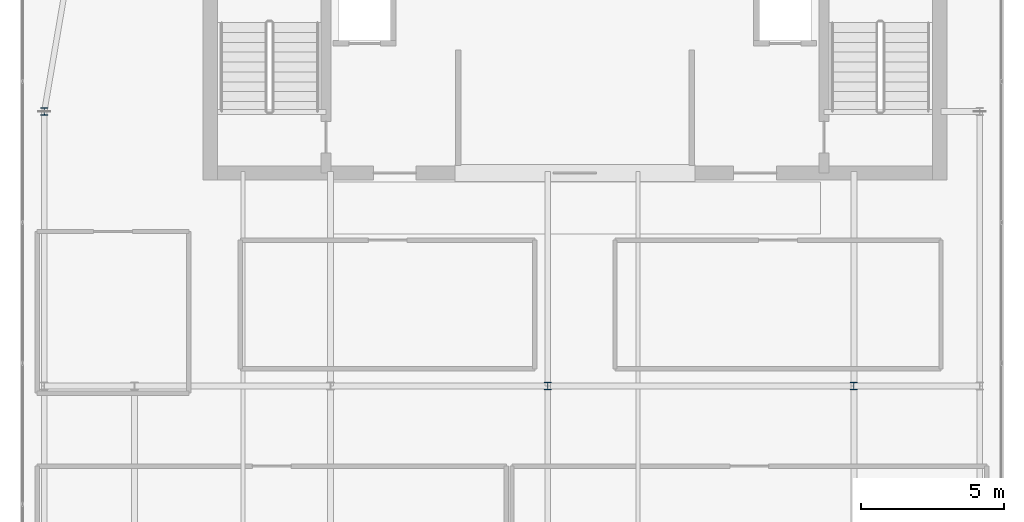
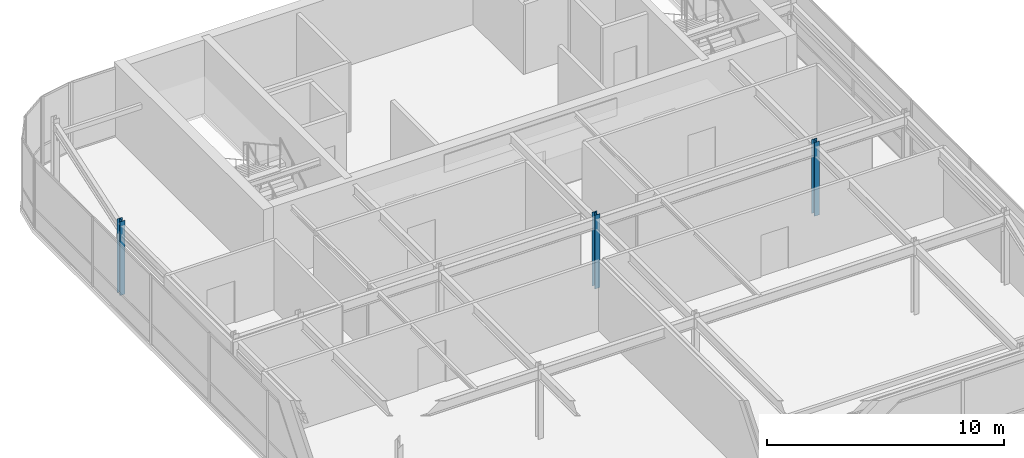
# One storey, part 2 of 36: 3 columns.
"""IFC4 building model written with IfcOpenShell, lengths in metres."""

from ifc_helpers import new_model, si_unit, direction, frame, origin, origin_2d, place, context, subcontext, project, spatial, i_section, extrude, source, transform, mapped, material, material_profile, profile_set, type_object, type_shapes, element, save


model = new_model("IFC4")

# Units and contexts
model_context = context("Model", 3, precision=1e-05, world=origin(), true_north=direction((0.0, 1.0)))
body_context = subcontext(model_context, "Body", "Model", "MODEL_VIEW")
ifc_project = project(units=[si_unit("LENGTHUNIT", "METRE"), si_unit("AREAUNIT", "SQUARE_METRE"), si_unit("VOLUMEUNIT", "CUBIC_METRE"), si_unit("PLANEANGLEUNIT", "RADIAN"), si_unit("MASSUNIT", "GRAM", prefix="KILO")], contexts=[model_context])

# Site, building, storey
site_placement = place(None, origin())
site = spatial("IfcSite", under=ifc_project, at=site_placement, CompositionType="ELEMENT")
building_placement = place(site_placement, origin())
building = spatial("IfcBuilding", under=site, at=building_placement, Name="Tolvann Quenvar Hotel", CompositionType="ELEMENT")
storey_placement = place(building_placement, frame((0.0, 0.0, 294.75)))
storey = spatial("IfcBuildingStorey", under=building, at=storey_placement, Name="L78", CompositionType="ELEMENT", Elevation=294.75)

# Columns
ifc_material = material(Name="Steel Grade 350", Category="steel")
ifc_material_profile = material_profile(ifc_material, i_section(OverallWidth=0.256103515625, OverallDepth=0.260009765625, WebThickness=0.010498046875, FlangeThickness=0.017333984375, FilletRadius=0.013916015625, at=origin_2d()), Name="250UC90")
ifc_profile_set = profile_set([ifc_material_profile], Name="Steel Grade 350")
column_type = type_object("IfcColumnType", Name="COL_250UC90", PredefinedType="COLUMN", material=ifc_profile_set)
shared_shape = source(origin(), body_context, "Body", "SweptSolid", [
    extrude(i_section(OverallWidth=0.256103515625, OverallDepth=0.260009765625, WebThickness=0.010498046875, FlangeThickness=0.017333984375, FilletRadius=0.013916015625, at=origin_2d()), origin(), (0.0, 0.0, 1.0), 3.800048828125),
])
type_shapes(column_type, [shared_shape])
for number, where, z_axis, x_axis, name in (
    (1, (22.050048828125, 24.39990234375, 0.0), (0.0, 0.0, 1.0), (1.0, 0.0, 0.0), "Column E5 (L78)"),
    (2, (32.75, 24.39990234375, 0.0), (0.0, 0.0, 1.0), (1.0, 0.0, 0.0), "Column FP5 (L78)"),
    (3, (4.449951171875, 34.0, 0.0), (0.0, 0.0, 1.0), (1.0, 0.0, 0.0), "Column BD6 (L78)"),
):
    element("IfcColumn", number, at=place(storey_placement, frame(where, z_axis=z_axis, x_axis=x_axis)), inside=storey, type_object=column_type, Name=name, PredefinedType="COLUMN", context=body_context, shape_type="MappedRepresentation", body=[
        mapped(shared_shape, transform((0.0, 0.0, 0.0), x_axis=(1.0, 0.0, 0.0), y_axis=(0.0, 1.0, 0.0), z_axis=(0.0, 0.0, 1.0), scale=1.0)),
    ])

save(model, "model.ifc")
